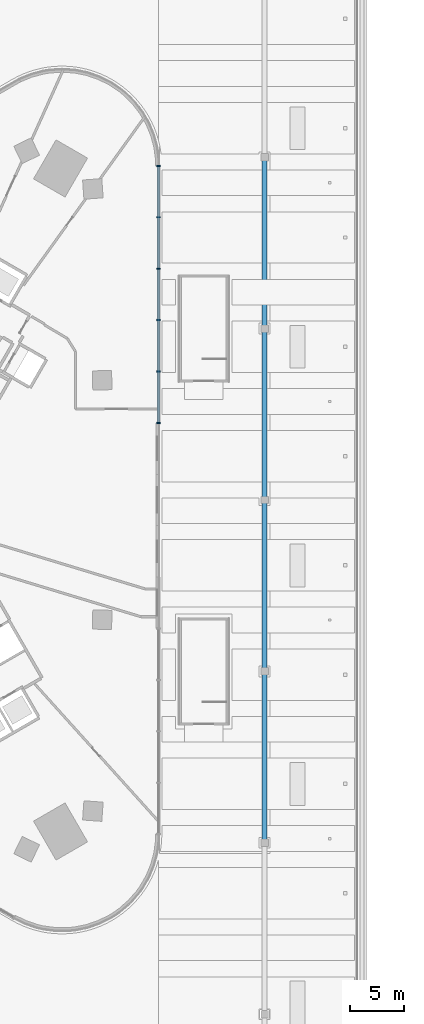
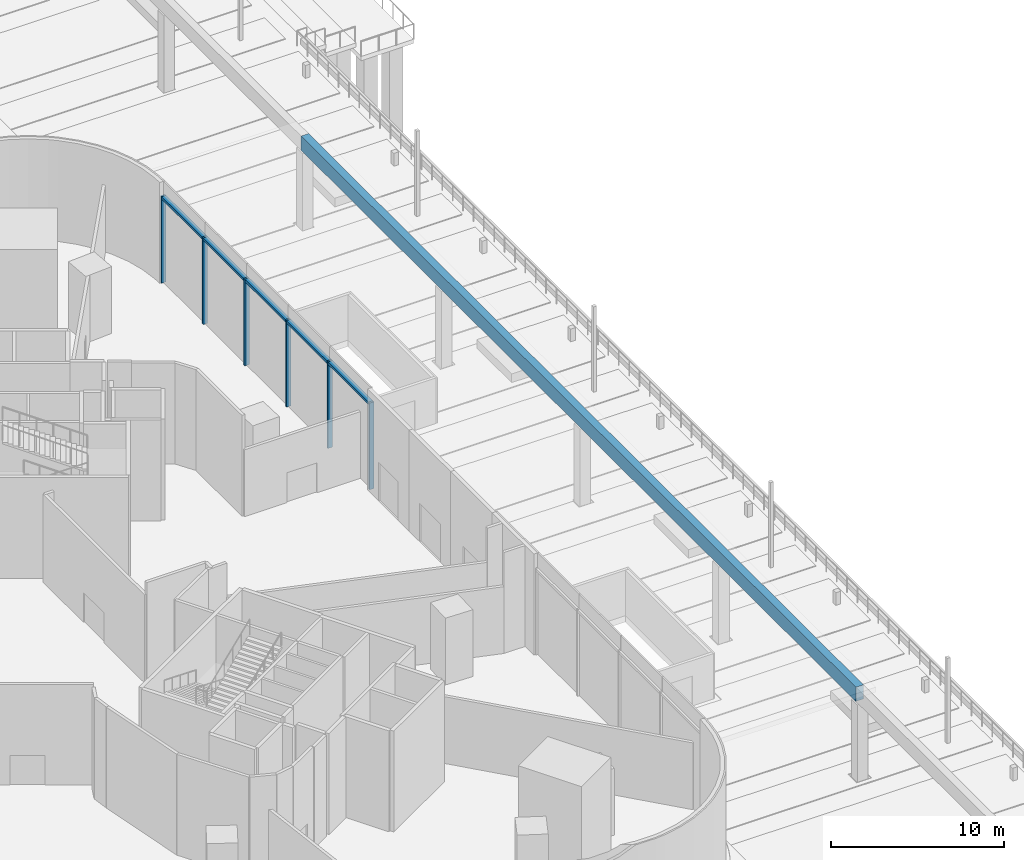
# One storey, part 7 of 41: 8 members, 1 beam, 1 element without a shape of its own.
"""IFC4 building model written with IfcOpenShell, lengths in metres."""

from ifc_helpers import new_model, si_unit, direction, frame, origin, origin_2d, place, context, subcontext, project, spatial, rectangle, extrude, material, material_profile, profile_set, type_object, element, aggregate, save


model = new_model("IFC4")

# Units and contexts
model_context = context("Model", 3, precision=1e-05, world=origin(), true_north=direction((0.0, 1.0)))
body_context = subcontext(model_context, "Body", "Model", "MODEL_VIEW")
ifc_project = project(units=[si_unit("LENGTHUNIT", "METRE"), si_unit("AREAUNIT", "SQUARE_METRE"), si_unit("VOLUMEUNIT", "CUBIC_METRE"), si_unit("PLANEANGLEUNIT", "RADIAN"), si_unit("MASSUNIT", "GRAM", prefix="KILO")], contexts=[model_context])

# Site, building, storey
site_placement = place(None, origin())
site = spatial("IfcSite", under=ifc_project, at=site_placement, CompositionType="ELEMENT")
building_placement = place(site_placement, origin())
building = spatial("IfcBuilding", under=site, at=building_placement, Name="Tamra Quay Hotel Tower", CompositionType="ELEMENT")
storey_placement = place(building_placement, origin())
storey = spatial("IfcBuildingStorey", under=building, at=storey_placement, Name="L00", CompositionType="ELEMENT", Elevation=0.0)

# Beam
ifc_material_1 = material(Name="Concrete M60", Category="concrete")
ifc_material_profile_1 = material_profile(ifc_material_1, rectangle(XDim=0.5, YDim=1.0, at=origin_2d()), Name="Concrete M60")
ifc_profile_set_1 = profile_set([ifc_material_profile_1], Name="Concrete M60")
beam_type = type_object("IfcBeamType", Name="CANOPY EDGE BEAM 500X1000", PredefinedType="BEAM", material=ifc_profile_set_1)
beam_placement = place(storey_placement, frame((36.89990234375, -32.0, 5.89990234375), z_axis=(0.0, 1.0, 0.0), x_axis=(-1.0, 0.0, 0.0)))
element("IfcBeam", 1, at=beam_placement, inside=storey, type_object=beam_type, Name="Canopy edge beam", PredefinedType="BEAM", context=body_context, shape_type="SweptSolid", body=[
    extrude(rectangle(XDim=0.5, YDim=1.0, at=origin_2d()), origin(), (0.0, 0.0, 1.0), 64.0),
])

# Curtain wall, members
ifc_material_2 = material(Name="Aluminium 6063 anodised dark grey", Category="aluminium")
curtain_wall_type = type_object("IfcCurtainWallType", Name="CW4 CURTAIN WALL", PredefinedType="NOTDEFINED", material=ifc_material_2)
curtain_wall_placement = place(storey_placement, origin())
curtain_wall = element("IfcCurtainWall", 2, at=curtain_wall_placement, inside=storey, type_object=curtain_wall_type, Name="CW4 east face L00", PredefinedType="NOTDEFINED")
ifc_material_profile_2 = material_profile(ifc_material_2, rectangle(XDim=0.300048828125, YDim=0.1201171875, at=origin_2d()), Name="MULLION 120X300")
ifc_profile_set_2 = profile_set([ifc_material_profile_2], Name="Aluminium 6063 anodised dark grey")
member_type_1 = type_object("IfcMemberType", Name="MULLION CW4", PredefinedType="MULLION", material=ifc_profile_set_2)
member_1_placement = place(storey_placement, frame((27.0, 7.194580078125, 0.0), z_axis=(0.0, 0.0, 1.0), x_axis=(1.0, 0.0, 0.0)))
member_1 = element("IfcMember", 3, at=member_1_placement, type_object=member_type_1, Name="CW4 mullion L00.E.9", PredefinedType="MULLION", context=body_context, shape_type="SweptSolid", body=[
    extrude(rectangle(XDim=0.300048828125, YDim=0.1201171875, at=origin_2d()), origin(), (0.0, 0.0, 1.0), 6.10009765625),
])
member_2_placement = place(storey_placement, frame((27.0, 11.9912109375, 0.0), z_axis=(0.0, 0.0, 1.0), x_axis=(1.0, 0.0, 0.0)))
member_2 = element("IfcMember", 4, at=member_2_placement, type_object=member_type_1, Name="CW4 mullion L00.E.10", PredefinedType="MULLION", context=body_context, shape_type="SweptSolid", body=[
    extrude(rectangle(XDim=0.300048828125, YDim=0.1201171875, at=origin_2d()), origin(), (0.0, 0.0, 1.0), 6.10009765625),
])
member_3_placement = place(storey_placement, frame((27.0, 16.78759765625, 0.0), z_axis=(0.0, 0.0, 1.0), x_axis=(1.0, 0.0, 0.0)))
member_3 = element("IfcMember", 5, at=member_3_placement, type_object=member_type_1, Name="CW4 mullion L00.E.11", PredefinedType="MULLION", context=body_context, shape_type="SweptSolid", body=[
    extrude(rectangle(XDim=0.300048828125, YDim=0.1201171875, at=origin_2d()), origin(), (0.0, 0.0, 1.0), 6.10009765625),
])
member_4_placement = place(storey_placement, frame((27.0, 21.583984375, 0.0), z_axis=(0.0, 0.0, 1.0), x_axis=(1.0, 0.0, 0.0)))
member_4 = element("IfcMember", 6, at=member_4_placement, type_object=member_type_1, Name="CW4 mullion L00.E.12", PredefinedType="MULLION", context=body_context, shape_type="SweptSolid", body=[
    extrude(rectangle(XDim=0.300048828125, YDim=0.1201171875, at=origin_2d()), origin(), (0.0, 0.0, 1.0), 6.10009765625),
])
member_5_placement = place(storey_placement, frame((27.0, 26.38037109375, 0.0), z_axis=(0.0, 0.0, 1.0), x_axis=(1.0, 0.0, 0.0)))
member_5 = element("IfcMember", 7, at=member_5_placement, type_object=member_type_1, Name="CW4 mullion L00.E.13", PredefinedType="MULLION", context=body_context, shape_type="SweptSolid", body=[
    extrude(rectangle(XDim=0.300048828125, YDim=0.1201171875, at=origin_2d()), origin(), (0.0, 0.0, 1.0), 6.10009765625),
])
member_6_placement = place(storey_placement, frame((27.0, 31.177001953125, 0.0), z_axis=(0.0, 0.0, 1.0), x_axis=(0.99986613791, 0.016361731626, 0.0)))
member_6 = element("IfcMember", 8, at=member_6_placement, type_object=member_type_1, Name="CW4 mullion L00.E.14", PredefinedType="MULLION", context=body_context, shape_type="SweptSolid", body=[
    extrude(rectangle(XDim=0.300048828125, YDim=0.1201171875, at=origin_2d()), origin(), (0.0, 0.0, 1.0), 6.10009765625),
])
ifc_material_profile_3 = material_profile(ifc_material_2, rectangle(XDim=0.300048828125, YDim=0.179931640625, at=origin_2d()), Name="TRANSOM 300X180")
ifc_profile_set_3 = profile_set([ifc_material_profile_3], Name="Aluminium 6063 anodised dark grey")
member_type_2 = type_object("IfcMemberType", Name="TRANSOM CW4", PredefinedType="USERDEFINED", material=ifc_profile_set_3)
member_7_placement = place(storey_placement, frame((27.0, 7.254638671875, 6.010009765625), z_axis=(0.0, 1.0, 0.0), x_axis=(-1.0, 0.0, 0.0)))
member_7 = element("IfcMember", 9, at=member_7_placement, type_object=member_type_2, Name="CW4 transom L00.E.9", ObjectType="TRANSOM", PredefinedType="USERDEFINED", context=body_context, shape_type="SweptSolid", body=[
    extrude(rectangle(XDim=0.300048828125, YDim=0.179931640625, at=origin_2d()), origin(), (0.0, 0.0, 1.0), 14.269287109375),
])
member_8_placement = place(storey_placement, frame((27.0, 21.64404296875, 6.010009765625), z_axis=(0.0, 1.0, 0.0), x_axis=(-1.0, 0.0, 0.0)))
member_8 = element("IfcMember", 10, at=member_8_placement, type_object=member_type_2, Name="CW4 transom L00.E.12", ObjectType="TRANSOM", PredefinedType="USERDEFINED", context=body_context, shape_type="SweptSolid", body=[
    extrude(rectangle(XDim=0.300048828125, YDim=0.179931640625, at=origin_2d()), origin(), (0.0, 0.0, 1.0), 9.472900390625),
])
aggregate(curtain_wall, [member_1, member_7, member_2, member_3, member_4, member_8, member_5, member_6])

save(model, "model.ifc")
